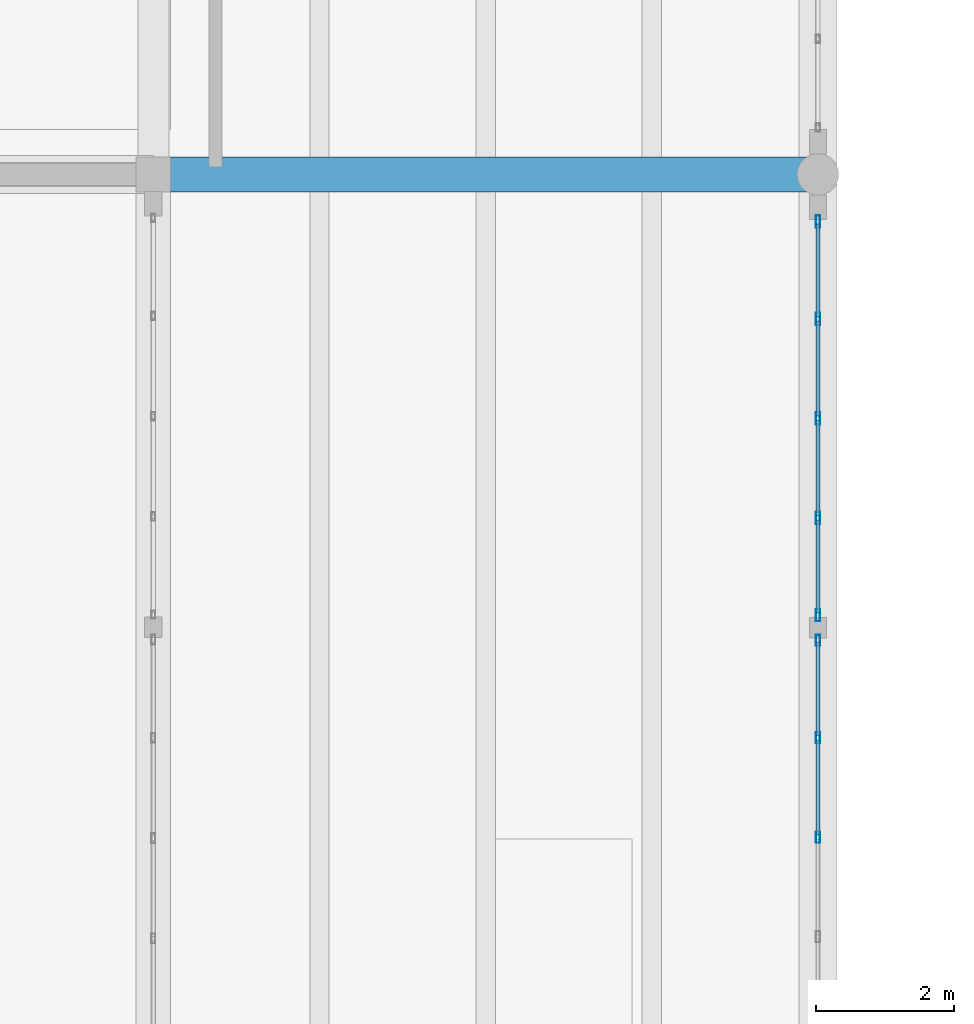
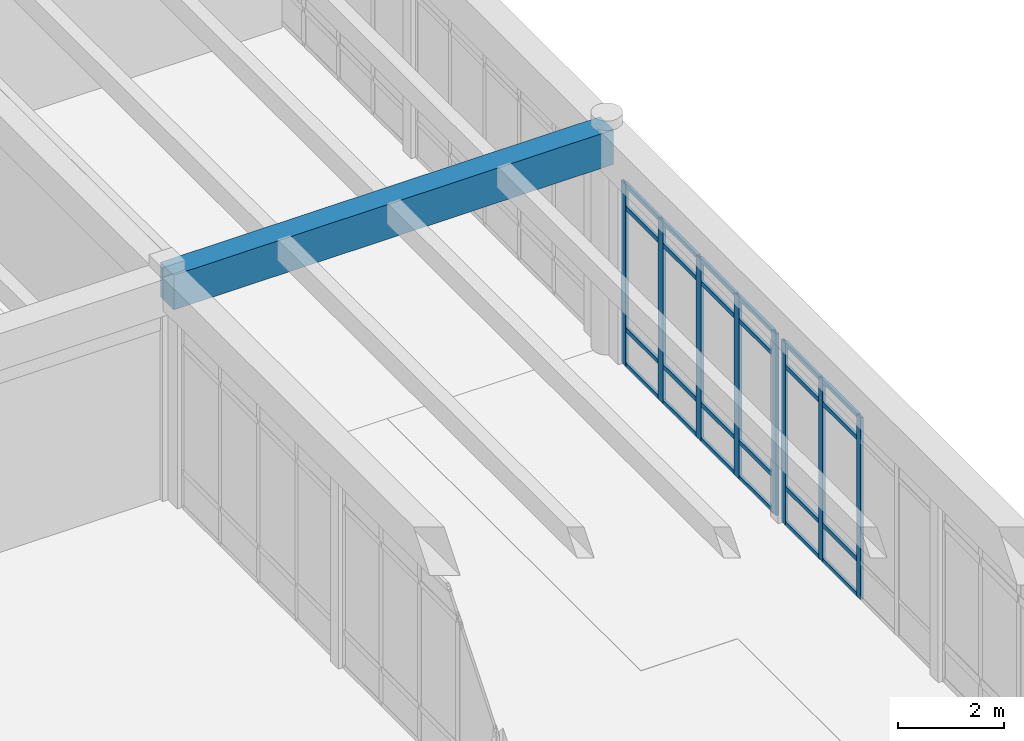
# One storey, part 81 of 138: 32 members, 1 beam, 2 elements without a shape of their own.
"""IFC4 building model written with IfcOpenShell, lengths in metres."""

from ifc_helpers import new_model, si_unit, direction, frame, origin, origin_2d, place, context, subcontext, project, spatial, rectangle, hollow_rectangle, extrude, material, layer, layer_set, material_profile, profile_set, type_object, element, aggregate, save


model = new_model("IFC4")

# Units and contexts
model_context = context("Model", 3, precision=1e-05, world=origin(), true_north=direction((0.0, 1.0)))
body_context = subcontext(model_context, "Body", "Model", "MODEL_VIEW")
ifc_project = project(units=[si_unit("LENGTHUNIT", "METRE"), si_unit("AREAUNIT", "SQUARE_METRE"), si_unit("VOLUMEUNIT", "CUBIC_METRE"), si_unit("PLANEANGLEUNIT", "RADIAN"), si_unit("MASSUNIT", "GRAM", prefix="KILO")], contexts=[model_context])

# Site, building, storey
site_placement = place(None, origin())
site = spatial("IfcSite", under=ifc_project, at=site_placement, CompositionType="ELEMENT")
building_placement = place(site_placement, origin())
building = spatial("IfcBuilding", under=site, at=building_placement, Name="Fikremerkos Civic Library", CompositionType="ELEMENT")
storey_placement = place(building_placement, origin())
storey = spatial("IfcBuildingStorey", under=building, at=storey_placement, Name="L00", CompositionType="ELEMENT", Elevation=0.0)

# Curtain wall, members
ifc_material_1 = material(Name="Anodized aluminium Frame", Category="aluminium")
ifc_layer_1 = layer(ifc_material_1, 0.159912109375, Name="Anodized aluminium Frame")
ifc_layer_set_1 = layer_set([ifc_layer_1], Name="Anodized aluminium Frame")
curtain_wall_type_1 = type_object("IfcCurtainWallType", Name="Unitised curtain wall CW-05 3800x4100", PredefinedType="USERDEFINED", material=ifc_layer_set_1)
curtain_wall_1_placement = place(storey_placement, origin())
curtain_wall_1 = element("IfcCurtainWall", 1, at=curtain_wall_1_placement, inside=storey, type_object=curtain_wall_type_1, Name="Unitised curtain wall CW-05 L00 #59", ObjectType="UNITISED CURTAIN WALL", PredefinedType="USERDEFINED")
ifc_material_profile_1 = material_profile(ifc_material_1, hollow_rectangle(XDim=0.06494140625, YDim=0.179931640625, WallThickness=0.00439453125, at=origin_2d()), Name="ALU 180x65x4.5")
ifc_profile_set_1 = profile_set([ifc_material_profile_1], Name="Anodized aluminium Frame")
member_type_1 = type_object("IfcMemberType", Name="Curtain mullion CWM-01 ALU 180x65x4.5", PredefinedType="MULLION", material=ifc_profile_set_1)
member_1_placement = place(storey_placement, frame((134.39990234375, 95.319580078125, 0.0), z_axis=(0.0, 0.0, 1.0), x_axis=(1.0, 0.0, 0.0)))
member_1 = element("IfcMember", 2, at=member_1_placement, type_object=member_type_1, Name="CW-05 mullion 1", PredefinedType="MULLION", context=body_context, shape_type="SweptSolid", body=[
    extrude(hollow_rectangle(XDim=0.06494140625, YDim=0.179931640625, WallThickness=0.00439453125, at=origin_2d()), origin(), (0.0, 0.0, 1.0), 4.199951171875),
])
member_2_placement = place(storey_placement, frame((134.39990234375, 93.9140625, 0.0), z_axis=(0.0, 0.0, 1.0), x_axis=(1.0, 0.0, 0.0)))
member_2 = element("IfcMember", 3, at=member_2_placement, type_object=member_type_1, Name="CW-05 mullion 2", PredefinedType="MULLION", context=body_context, shape_type="SweptSolid", body=[
    extrude(hollow_rectangle(XDim=0.06494140625, YDim=0.179931640625, WallThickness=0.00439453125, at=origin_2d()), origin(), (0.0, 0.0, 1.0), 4.199951171875),
])
member_3_placement = place(storey_placement, frame((134.39990234375, 92.476318359375, 0.0), z_axis=(0.0, 0.0, 1.0), x_axis=(1.0, 0.0, 0.0)))
member_3 = element("IfcMember", 4, at=member_3_placement, type_object=member_type_1, Name="CW-05 mullion 3", PredefinedType="MULLION", context=body_context, shape_type="SweptSolid", body=[
    extrude(hollow_rectangle(XDim=0.06494140625, YDim=0.179931640625, WallThickness=0.00439453125, at=origin_2d()), origin(), (0.0, 0.0, 1.0), 4.199951171875),
])
member_4_placement = place(storey_placement, frame((134.39990234375, 91.03857421875, 0.0), z_axis=(0.0, 0.0, 1.0), x_axis=(1.0, 0.0, 0.0)))
member_4 = element("IfcMember", 5, at=member_4_placement, type_object=member_type_1, Name="CW-05 mullion 4", PredefinedType="MULLION", context=body_context, shape_type="SweptSolid", body=[
    extrude(hollow_rectangle(XDim=0.06494140625, YDim=0.179931640625, WallThickness=0.00439453125, at=origin_2d()), origin(), (0.0, 0.0, 1.0), 4.199951171875),
])
member_5_placement = place(storey_placement, frame((134.39990234375, 89.633056640625, 0.0), z_axis=(0.0, 0.0, 1.0), x_axis=(1.0, 0.0, 0.0)))
member_5 = element("IfcMember", 6, at=member_5_placement, type_object=member_type_1, Name="CW-05 mullion 5", PredefinedType="MULLION", context=body_context, shape_type="SweptSolid", body=[
    extrude(hollow_rectangle(XDim=0.06494140625, YDim=0.179931640625, WallThickness=0.00439453125, at=origin_2d()), origin(), (0.0, 0.0, 1.0), 4.199951171875),
])

ifc_layer_2 = layer(ifc_material_1, 0.159912109375, Name="Anodized aluminium Frame")
ifc_layer_set_2 = layer_set([ifc_layer_2], Name="Anodized aluminium Frame")
curtain_wall_type_2 = type_object("IfcCurtainWallType", Name="Unitised curtain wall CW-06 4200x4100", PredefinedType="USERDEFINED", material=ifc_layer_set_2)
curtain_wall_2_placement = place(storey_placement, origin())
curtain_wall_2 = element("IfcCurtainWall", 7, at=curtain_wall_2_placement, inside=storey, type_object=curtain_wall_type_2, Name="Unitised curtain wall CW-06 L00 #60", ObjectType="UNITISED CURTAIN WALL", PredefinedType="USERDEFINED")
ifc_material_profile_2 = material_profile(ifc_material_1, hollow_rectangle(XDim=0.06005859375, YDim=0.159912109375, WallThickness=0.00390625, at=origin_2d()), Name="ALU 160x60x4")
ifc_profile_set_2 = profile_set([ifc_material_profile_2], Name="Anodized aluminium Frame")
member_type_2 = type_object("IfcMemberType", Name="Curtain mullion CWM-02 ALU 160x60x4", PredefinedType="MULLION", material=ifc_profile_set_2)
member_6_placement = place(storey_placement, frame((134.39990234375, 89.270751953125, 0.0), z_axis=(0.0, 0.0, 1.0), x_axis=(1.0, 0.0, 0.0)))
member_6 = element("IfcMember", 8, at=member_6_placement, type_object=member_type_2, Name="CW-06 mullion 1", PredefinedType="MULLION", context=body_context, shape_type="SweptSolid", body=[
    extrude(hollow_rectangle(XDim=0.06005859375, YDim=0.159912109375, WallThickness=0.00390625, at=origin_2d()), origin(), (0.0, 0.0, 1.0), 4.199951171875),
])
member_7_placement = place(storey_placement, frame((134.39990234375, 87.86279296875, 0.0), z_axis=(0.0, 0.0, 1.0), x_axis=(1.0, 0.0, 0.0)))
member_7 = element("IfcMember", 9, at=member_7_placement, type_object=member_type_2, Name="CW-06 mullion 2", PredefinedType="MULLION", context=body_context, shape_type="SweptSolid", body=[
    extrude(hollow_rectangle(XDim=0.06005859375, YDim=0.159912109375, WallThickness=0.00390625, at=origin_2d()), origin(), (0.0, 0.0, 1.0), 4.199951171875),
])
member_8_placement = place(storey_placement, frame((134.39990234375, 86.425048828125, 0.0), z_axis=(0.0, 0.0, 1.0), x_axis=(1.0, 0.0, 0.0)))
member_8 = element("IfcMember", 10, at=member_8_placement, type_object=member_type_2, Name="CW-06 mullion 3", PredefinedType="MULLION", context=body_context, shape_type="SweptSolid", body=[
    extrude(hollow_rectangle(XDim=0.06005859375, YDim=0.159912109375, WallThickness=0.00390625, at=origin_2d()), origin(), (0.0, 0.0, 1.0), 4.199951171875),
])

# Member
ifc_material_profile_3 = material_profile(ifc_material_1, hollow_rectangle(XDim=0.06005859375, YDim=0.10009765625, WallThickness=0.00390625, at=origin_2d()), Name="ALU 100x60x4")
ifc_profile_set_3 = profile_set([ifc_material_profile_3], Name="Anodized aluminium Frame")
member_type_3 = type_object("IfcMemberType", Name="Curtain transom CWT-03 ALU 100x60x4", PredefinedType="USERDEFINED", material=ifc_profile_set_3)
member_9_placement = place(storey_placement, frame((134.39990234375, 95.287109375, 0.030029296875), z_axis=(0.0, -1.0, 0.0), x_axis=(1.0, 0.0, 0.0)))
member_9 = element("IfcMember", 11, at=member_9_placement, type_object=member_type_3, Name="CW-05 transom 1.1", ObjectType="TRANSOM", PredefinedType="USERDEFINED", context=body_context, shape_type="SweptSolid", body=[
    extrude(hollow_rectangle(XDim=0.06005859375, YDim=0.10009765625, WallThickness=0.00390625, at=origin_2d()), origin(), (0.0, 0.0, 1.0), 1.34033203125),
])

member_10_placement = place(storey_placement, frame((134.39990234375, 95.287109375, 0.85009765625), z_axis=(0.0, -1.0, 0.0), x_axis=(1.0, 0.0, 0.0)))
member_10 = element("IfcMember", 12, at=member_10_placement, type_object=member_type_3, Name="CW-05 transom 1.2", ObjectType="TRANSOM", PredefinedType="USERDEFINED", context=body_context, shape_type="SweptSolid", body=[
    extrude(hollow_rectangle(XDim=0.06005859375, YDim=0.10009765625, WallThickness=0.00390625, at=origin_2d()), origin(), (0.0, 0.0, 1.0), 1.34033203125),
])

member_11_placement = place(storey_placement, frame((134.39990234375, 95.287109375, 3.64990234375), z_axis=(0.0, -1.0, 0.0), x_axis=(1.0, 0.0, 0.0)))
member_11 = element("IfcMember", 13, at=member_11_placement, type_object=member_type_3, Name="CW-05 transom 1.3", ObjectType="TRANSOM", PredefinedType="USERDEFINED", context=body_context, shape_type="SweptSolid", body=[
    extrude(hollow_rectangle(XDim=0.06005859375, YDim=0.10009765625, WallThickness=0.00390625, at=origin_2d()), origin(), (0.0, 0.0, 1.0), 1.34033203125),
])

member_12_placement = place(storey_placement, frame((134.39990234375, 95.287109375, 4.169921875), z_axis=(0.0, -1.0, 0.0), x_axis=(1.0, 0.0, 0.0)))
member_12 = element("IfcMember", 14, at=member_12_placement, type_object=member_type_3, Name="CW-05 transom 1.4", ObjectType="TRANSOM", PredefinedType="USERDEFINED", context=body_context, shape_type="SweptSolid", body=[
    extrude(hollow_rectangle(XDim=0.06005859375, YDim=0.10009765625, WallThickness=0.00390625, at=origin_2d()), origin(), (0.0, 0.0, 1.0), 1.34033203125),
])

member_13_placement = place(storey_placement, frame((134.39990234375, 93.881591796875, 0.030029296875), z_axis=(0.0, -1.0, 0.0), x_axis=(1.0, 0.0, 0.0)))
member_13 = element("IfcMember", 15, at=member_13_placement, type_object=member_type_3, Name="CW-05 transom 2.1", ObjectType="TRANSOM", PredefinedType="USERDEFINED", context=body_context, shape_type="SweptSolid", body=[
    extrude(hollow_rectangle(XDim=0.06005859375, YDim=0.10009765625, WallThickness=0.00390625, at=origin_2d()), origin(), (0.0, 0.0, 1.0), 1.372802734375),
])

member_14_placement = place(storey_placement, frame((134.39990234375, 93.881591796875, 0.85009765625), z_axis=(0.0, -1.0, 0.0), x_axis=(1.0, 0.0, 0.0)))
member_14 = element("IfcMember", 16, at=member_14_placement, type_object=member_type_3, Name="CW-05 transom 2.2", ObjectType="TRANSOM", PredefinedType="USERDEFINED", context=body_context, shape_type="SweptSolid", body=[
    extrude(hollow_rectangle(XDim=0.06005859375, YDim=0.10009765625, WallThickness=0.00390625, at=origin_2d()), origin(), (0.0, 0.0, 1.0), 1.372802734375),
])

member_15_placement = place(storey_placement, frame((134.39990234375, 93.881591796875, 3.64990234375), z_axis=(0.0, -1.0, 0.0), x_axis=(1.0, 0.0, 0.0)))
member_15 = element("IfcMember", 17, at=member_15_placement, type_object=member_type_3, Name="CW-05 transom 2.3", ObjectType="TRANSOM", PredefinedType="USERDEFINED", context=body_context, shape_type="SweptSolid", body=[
    extrude(hollow_rectangle(XDim=0.06005859375, YDim=0.10009765625, WallThickness=0.00390625, at=origin_2d()), origin(), (0.0, 0.0, 1.0), 1.372802734375),
])

member_16_placement = place(storey_placement, frame((134.39990234375, 93.881591796875, 4.169921875), z_axis=(0.0, -1.0, 0.0), x_axis=(1.0, 0.0, 0.0)))
member_16 = element("IfcMember", 18, at=member_16_placement, type_object=member_type_3, Name="CW-05 transom 2.4", ObjectType="TRANSOM", PredefinedType="USERDEFINED", context=body_context, shape_type="SweptSolid", body=[
    extrude(hollow_rectangle(XDim=0.06005859375, YDim=0.10009765625, WallThickness=0.00390625, at=origin_2d()), origin(), (0.0, 0.0, 1.0), 1.372802734375),
])

member_17_placement = place(storey_placement, frame((134.39990234375, 92.44384765625, 0.030029296875), z_axis=(0.0, -1.0, 0.0), x_axis=(1.0, 0.0, 0.0)))
member_17 = element("IfcMember", 19, at=member_17_placement, type_object=member_type_3, Name="CW-05 transom 3.1", ObjectType="TRANSOM", PredefinedType="USERDEFINED", context=body_context, shape_type="SweptSolid", body=[
    extrude(hollow_rectangle(XDim=0.06005859375, YDim=0.10009765625, WallThickness=0.00390625, at=origin_2d()), origin(), (0.0, 0.0, 1.0), 1.372802734375),
])

member_18_placement = place(storey_placement, frame((134.39990234375, 92.44384765625, 0.85009765625), z_axis=(0.0, -1.0, 0.0), x_axis=(1.0, 0.0, 0.0)))
member_18 = element("IfcMember", 20, at=member_18_placement, type_object=member_type_3, Name="CW-05 transom 3.2", ObjectType="TRANSOM", PredefinedType="USERDEFINED", context=body_context, shape_type="SweptSolid", body=[
    extrude(hollow_rectangle(XDim=0.06005859375, YDim=0.10009765625, WallThickness=0.00390625, at=origin_2d()), origin(), (0.0, 0.0, 1.0), 1.372802734375),
])

member_19_placement = place(storey_placement, frame((134.39990234375, 92.44384765625, 3.64990234375), z_axis=(0.0, -1.0, 0.0), x_axis=(1.0, 0.0, 0.0)))
member_19 = element("IfcMember", 21, at=member_19_placement, type_object=member_type_3, Name="CW-05 transom 3.3", ObjectType="TRANSOM", PredefinedType="USERDEFINED", context=body_context, shape_type="SweptSolid", body=[
    extrude(hollow_rectangle(XDim=0.06005859375, YDim=0.10009765625, WallThickness=0.00390625, at=origin_2d()), origin(), (0.0, 0.0, 1.0), 1.372802734375),
])

member_20_placement = place(storey_placement, frame((134.39990234375, 92.44384765625, 4.169921875), z_axis=(0.0, -1.0, 0.0), x_axis=(1.0, 0.0, 0.0)))
member_20 = element("IfcMember", 22, at=member_20_placement, type_object=member_type_3, Name="CW-05 transom 3.4", ObjectType="TRANSOM", PredefinedType="USERDEFINED", context=body_context, shape_type="SweptSolid", body=[
    extrude(hollow_rectangle(XDim=0.06005859375, YDim=0.10009765625, WallThickness=0.00390625, at=origin_2d()), origin(), (0.0, 0.0, 1.0), 1.372802734375),
])

member_21_placement = place(storey_placement, frame((134.39990234375, 91.006103515625, 0.030029296875), z_axis=(0.0, -1.0, 0.0), x_axis=(1.0, 0.0, 0.0)))
member_21 = element("IfcMember", 23, at=member_21_placement, type_object=member_type_3, Name="CW-05 transom 4.1", ObjectType="TRANSOM", PredefinedType="USERDEFINED", context=body_context, shape_type="SweptSolid", body=[
    extrude(hollow_rectangle(XDim=0.06005859375, YDim=0.10009765625, WallThickness=0.00390625, at=origin_2d()), origin(), (0.0, 0.0, 1.0), 1.34033203125),
])

member_22_placement = place(storey_placement, frame((134.39990234375, 91.006103515625, 0.85009765625), z_axis=(0.0, -1.0, 0.0), x_axis=(1.0, 0.0, 0.0)))
member_22 = element("IfcMember", 24, at=member_22_placement, type_object=member_type_3, Name="CW-05 transom 4.2", ObjectType="TRANSOM", PredefinedType="USERDEFINED", context=body_context, shape_type="SweptSolid", body=[
    extrude(hollow_rectangle(XDim=0.06005859375, YDim=0.10009765625, WallThickness=0.00390625, at=origin_2d()), origin(), (0.0, 0.0, 1.0), 1.34033203125),
])

member_23_placement = place(storey_placement, frame((134.39990234375, 91.006103515625, 3.64990234375), z_axis=(0.0, -1.0, 0.0), x_axis=(1.0, 0.0, 0.0)))
member_23 = element("IfcMember", 25, at=member_23_placement, type_object=member_type_3, Name="CW-05 transom 4.3", ObjectType="TRANSOM", PredefinedType="USERDEFINED", context=body_context, shape_type="SweptSolid", body=[
    extrude(hollow_rectangle(XDim=0.06005859375, YDim=0.10009765625, WallThickness=0.00390625, at=origin_2d()), origin(), (0.0, 0.0, 1.0), 1.34033203125),
])

member_24_placement = place(storey_placement, frame((134.39990234375, 91.006103515625, 4.169921875), z_axis=(0.0, -1.0, 0.0), x_axis=(1.0, 0.0, 0.0)))
member_24 = element("IfcMember", 26, at=member_24_placement, type_object=member_type_3, Name="CW-05 transom 4.4", ObjectType="TRANSOM", PredefinedType="USERDEFINED", context=body_context, shape_type="SweptSolid", body=[
    extrude(hollow_rectangle(XDim=0.06005859375, YDim=0.10009765625, WallThickness=0.00390625, at=origin_2d()), origin(), (0.0, 0.0, 1.0), 1.34033203125),
])

aggregate(curtain_wall_1, [member_1, member_2, member_3, member_4, member_5, member_9, member_10, member_11, member_12, member_13, member_14, member_15, member_16, member_17, member_18, member_19, member_20, member_21, member_22, member_23, member_24])

member_25_placement = place(storey_placement, frame((134.39990234375, 89.24072265625, 0.030029296875), z_axis=(0.0, -1.0, 0.0), x_axis=(1.0, 0.0, 0.0)))
member_25 = element("IfcMember", 27, at=member_25_placement, type_object=member_type_3, Name="CW-06 transom 1.1", ObjectType="TRANSOM", PredefinedType="USERDEFINED", context=body_context, shape_type="SweptSolid", body=[
    extrude(hollow_rectangle(XDim=0.06005859375, YDim=0.10009765625, WallThickness=0.00390625, at=origin_2d()), origin(), (0.0, 0.0, 1.0), 1.347900390625),
])

member_26_placement = place(storey_placement, frame((134.39990234375, 89.24072265625, 0.85009765625), z_axis=(0.0, -1.0, 0.0), x_axis=(1.0, 0.0, 0.0)))
member_26 = element("IfcMember", 28, at=member_26_placement, type_object=member_type_3, Name="CW-06 transom 1.2", ObjectType="TRANSOM", PredefinedType="USERDEFINED", context=body_context, shape_type="SweptSolid", body=[
    extrude(hollow_rectangle(XDim=0.06005859375, YDim=0.10009765625, WallThickness=0.00390625, at=origin_2d()), origin(), (0.0, 0.0, 1.0), 1.347900390625),
])

member_27_placement = place(storey_placement, frame((134.39990234375, 89.24072265625, 3.64990234375), z_axis=(0.0, -1.0, 0.0), x_axis=(1.0, 0.0, 0.0)))
member_27 = element("IfcMember", 29, at=member_27_placement, type_object=member_type_3, Name="CW-06 transom 1.3", ObjectType="TRANSOM", PredefinedType="USERDEFINED", context=body_context, shape_type="SweptSolid", body=[
    extrude(hollow_rectangle(XDim=0.06005859375, YDim=0.10009765625, WallThickness=0.00390625, at=origin_2d()), origin(), (0.0, 0.0, 1.0), 1.347900390625),
])

member_28_placement = place(storey_placement, frame((134.39990234375, 89.24072265625, 4.169921875), z_axis=(0.0, -1.0, 0.0), x_axis=(1.0, 0.0, 0.0)))
member_28 = element("IfcMember", 30, at=member_28_placement, type_object=member_type_3, Name="CW-06 transom 1.4", ObjectType="TRANSOM", PredefinedType="USERDEFINED", context=body_context, shape_type="SweptSolid", body=[
    extrude(hollow_rectangle(XDim=0.06005859375, YDim=0.10009765625, WallThickness=0.00390625, at=origin_2d()), origin(), (0.0, 0.0, 1.0), 1.347900390625),
])

member_29_placement = place(storey_placement, frame((134.39990234375, 87.832763671875, 0.030029296875), z_axis=(0.0, -1.0, 0.0), x_axis=(1.0, 0.0, 0.0)))
member_29 = element("IfcMember", 31, at=member_29_placement, type_object=member_type_3, Name="CW-06 transom 2.1", ObjectType="TRANSOM", PredefinedType="USERDEFINED", context=body_context, shape_type="SweptSolid", body=[
    extrude(hollow_rectangle(XDim=0.06005859375, YDim=0.10009765625, WallThickness=0.00390625, at=origin_2d()), origin(), (0.0, 0.0, 1.0), 1.377685546875),
])

member_30_placement = place(storey_placement, frame((134.39990234375, 87.832763671875, 0.85009765625), z_axis=(0.0, -1.0, 0.0), x_axis=(1.0, 0.0, 0.0)))
member_30 = element("IfcMember", 32, at=member_30_placement, type_object=member_type_3, Name="CW-06 transom 2.2", ObjectType="TRANSOM", PredefinedType="USERDEFINED", context=body_context, shape_type="SweptSolid", body=[
    extrude(hollow_rectangle(XDim=0.06005859375, YDim=0.10009765625, WallThickness=0.00390625, at=origin_2d()), origin(), (0.0, 0.0, 1.0), 1.377685546875),
])

member_31_placement = place(storey_placement, frame((134.39990234375, 87.832763671875, 3.64990234375), z_axis=(0.0, -1.0, 0.0), x_axis=(1.0, 0.0, 0.0)))
member_31 = element("IfcMember", 33, at=member_31_placement, type_object=member_type_3, Name="CW-06 transom 2.3", ObjectType="TRANSOM", PredefinedType="USERDEFINED", context=body_context, shape_type="SweptSolid", body=[
    extrude(hollow_rectangle(XDim=0.06005859375, YDim=0.10009765625, WallThickness=0.00390625, at=origin_2d()), origin(), (0.0, 0.0, 1.0), 1.377685546875),
])

member_32_placement = place(storey_placement, frame((134.39990234375, 87.832763671875, 4.169921875), z_axis=(0.0, -1.0, 0.0), x_axis=(1.0, 0.0, 0.0)))
member_32 = element("IfcMember", 34, at=member_32_placement, type_object=member_type_3, Name="CW-06 transom 2.4", ObjectType="TRANSOM", PredefinedType="USERDEFINED", context=body_context, shape_type="SweptSolid", body=[
    extrude(hollow_rectangle(XDim=0.06005859375, YDim=0.10009765625, WallThickness=0.00390625, at=origin_2d()), origin(), (0.0, 0.0, 1.0), 1.377685546875),
])

aggregate(curtain_wall_2, [member_6, member_7, member_8, member_25, member_26, member_27, member_28, member_29, member_30, member_31, member_32])

# Beam
ifc_material_2 = material(Name="Concrete C40/50", Category="concrete")
ifc_material_profile_4 = material_profile(ifc_material_2, rectangle(XDim=0.5, YDim=0.800048828125, at=origin_2d()), Name="RC 500x800")
ifc_profile_set_4 = profile_set([ifc_material_profile_4], Name="Concrete C40/50")
beam_type = type_object("IfcBeamType", Name="Primary girder BM-04 RC 500x800", PredefinedType="BEAM", material=ifc_profile_set_4)
beam_placement = place(storey_placement, frame((124.800048828125, 96.0, 4.739990234375), z_axis=(1.0, 0.0, 0.0), x_axis=(0.0, 1.0, 0.0)))
element("IfcBeam", 35, at=beam_placement, inside=storey, type_object=beam_type, Name="Primary girder BM-04 L00 grid M", PredefinedType="BEAM", context=body_context, shape_type="SweptSolid", body=[
    extrude(rectangle(XDim=0.5, YDim=0.800048828125, at=origin_2d()), origin(), (0.0, 0.0, 1.0), 9.599853515625),
])

save(model, "model.ifc")
